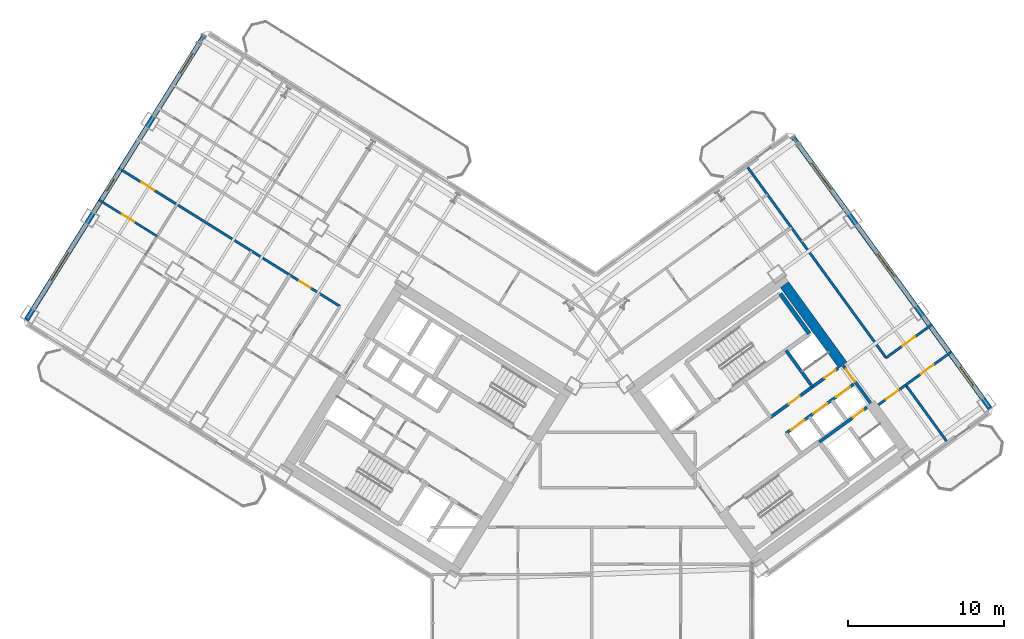
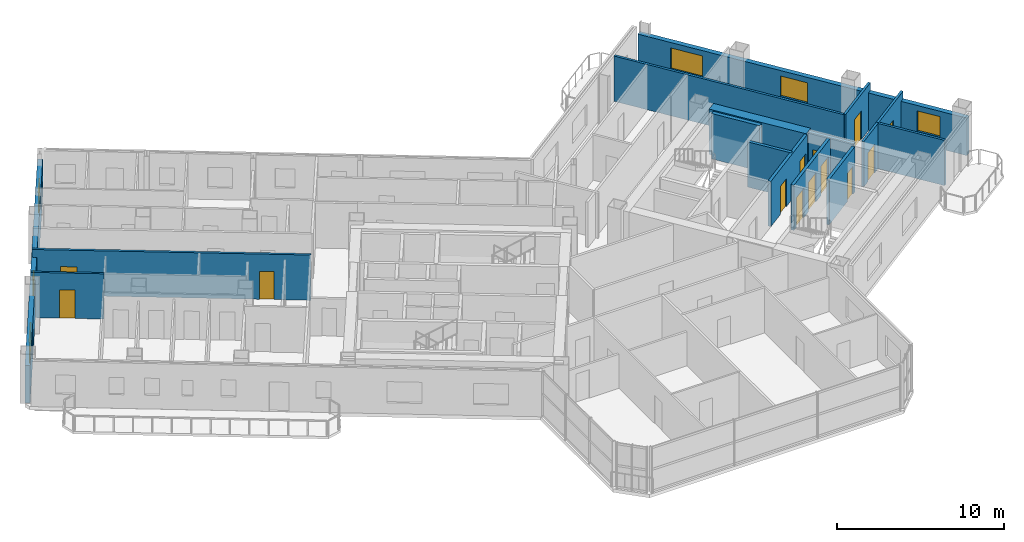
# One storey, part 15 of 22: 16 walls, 13 doors, 6 windows, 19 openings.
"""IFC4 building model written with IfcOpenShell, lengths in metres."""

from ifc_helpers import new_model, si_unit, direction, frame, frame_2d, origin, place, context, subcontext, project, spatial, rectangle, extrude, source, transform, mapped, material, layer, layer_set, type_object, element, fill, save


model = new_model("IFC4")

# Units and contexts
model_context = context("Model", 3, precision=1e-05, world=origin(), true_north=direction((0.0, 1.0)))
body_context = subcontext(model_context, "Body", "Model", "MODEL_VIEW")
ifc_project = project(units=[si_unit("LENGTHUNIT", "METRE"), si_unit("AREAUNIT", "SQUARE_METRE"), si_unit("VOLUMEUNIT", "CUBIC_METRE"), si_unit("PLANEANGLEUNIT", "RADIAN"), si_unit("MASSUNIT", "GRAM", prefix="KILO")], contexts=[model_context])

# Site, building, storey
site_placement = place(None, origin())
site = spatial("IfcSite", under=ifc_project, at=site_placement, CompositionType="ELEMENT")
building_placement = place(site_placement, origin())
building = spatial("IfcBuilding", under=site, at=building_placement, Name="Tlacorven Tower", CompositionType="ELEMENT")
storey_placement = place(building_placement, frame((0.0, 0.0, 97.199951171875)))
storey = spatial("IfcBuildingStorey", under=building, at=storey_placement, Name="L24", CompositionType="ELEMENT", Elevation=97.199951171875)

# Wall
ifc_material_1 = material(Name="Concrete C60/75", Category="concrete")
ifc_layer_1 = layer(ifc_material_1, 0.64990234375)
ifc_layer_set_1 = layer_set([ifc_layer_1], Name="Concrete C60/75")
wall_type_1 = type_object("IfcWallType", Name="WL-COR-650", PredefinedType="SHEAR", material=ifc_layer_set_1)
wall_1_placement = place(storey_placement, frame((58.06396484375, 25.8134765625, 0.0), z_axis=(0.0, 0.0, 1.0), x_axis=(-0.58777996584, 0.809020835181, 0.0)))
element("IfcWall", 1, at=wall_1_placement, inside=storey, type_object=wall_type_1, Name="L24 E core end wall E2.2", PredefinedType="SHEAR", context=body_context, shape_type="SweptSolid", body=[
    extrude(rectangle(XDim=6.375, YDim=0.64990234375, at=frame_2d((3.1875, 0.0))), origin(), (0.0, 0.0, 1.0), 3.320068359375),
])

# Wall, openings, doors
ifc_material_2 = material(Name="Gypsum plasterboard acoustic partition", Category="gypsum")
ifc_layer_2 = layer(ifc_material_2, 0.159912109375)
ifc_layer_set_2 = layer_set([ifc_layer_2], Name="Gypsum plasterboard acoustic partition")
wall_type_2 = type_object("IfcWallType", Name="WL-DEM-160", PredefinedType="PARTITIONING", material=ifc_layer_set_2)
wall_2_placement = place(storey_placement, frame((25.806884765625, 29.58154296875, 0.0), z_axis=(0.0, 0.0, 1.0), x_axis=(-0.848052408131, 0.529912363569, 0.0)))
wall_2 = element("IfcWall", 2, at=wall_2_placement, inside=storey, type_object=wall_type_2, Name="L24 Wing W Corridor North Wall", PredefinedType="PARTITIONING", context=body_context, shape_type="SweptSolid", body=[
    extrude(rectangle(XDim=16.72998046875, YDim=0.159912109375, at=frame_2d((8.364990234375, 0.0))), origin(), (0.0, 0.0, 1.0), 3.31005859375),
])
opening_1_placement = place(wall_2_placement, frame((2.219970703125, 0.0, 0.0)))
opening_1 = element("IfcOpeningElement", 3, at=opening_1_placement, cuts=wall_2, Name="Opening D19", PredefinedType="OPENING", context=body_context, shape_type="SweptSolid", body=[
    extrude(rectangle(XDim=0.860107421875, YDim=2.050048828125, at=frame_2d((0.43017578125, 1.02490234375))), frame((0.0, 0.08984375, 0.0), z_axis=(0.0, -1.0, 0.0), x_axis=(1.0, 0.0, 0.0)), (0.0, 0.0, 1.0), 0.179931640625),
])
opening_2_placement = place(wall_2_placement, frame((14.013427734375, 0.0, 0.0)))
opening_2 = element("IfcOpeningElement", 4, at=opening_2_placement, cuts=wall_2, Name="Opening D11", PredefinedType="OPENING", context=body_context, shape_type="SweptSolid", body=[
    extrude(rectangle(XDim=1.0, YDim=2.10009765625, at=frame_2d((0.5, 1.050048828125))), frame((0.0, 0.08984375, 0.0), z_axis=(0.0, -1.0, 0.0), x_axis=(1.0, 0.0, 0.0)), (0.0, 0.0, 1.0), 0.179931640625),
])
ifc_material_3 = material(Name="Fire-rated steel door assembly", Category="steel")
door_type_1 = type_object("IfcDoorType", Name="DR-RSR-FD60-0860", OperationType="NOTDEFINED", PredefinedType="DOOR", material=ifc_material_3)
shared_shape_1 = source(origin(), body_context, "Body", "SweptSolid", [
    extrude(rectangle(XDim=0.860107421875, YDim=2.050048828125, at=frame_2d((0.43017578125, 1.02490234375))), frame((0.0, 0.02490234375, 0.0), z_axis=(0.0, -1.0, 0.0), x_axis=(1.0, 0.0, 0.0)), (0.0, 0.0, 1.0), 0.050048828125),
])
door_1_placement = place(opening_1_placement, origin())
door_1 = element("IfcDoor", 5, at=door_1_placement, inside=storey, type_object=door_type_1, Name="L24 door 023", OperationType="SINGLE_SWING_LEFT", OverallHeight=2.050048828125, OverallWidth=0.860107421875, PredefinedType="DOOR", context=body_context, shape_type="MappedRepresentation", body=[
    mapped(shared_shape_1, transform((0.0, 0.0, 0.0), scale=1.0)),
])
fill(opening_1, door_1)
door_type_2 = type_object("IfcDoorType", Name="DR-FLT-FD60-1000", OperationType="NOTDEFINED", PredefinedType="DOOR", material=ifc_material_3)
shared_shape_2 = source(origin(), body_context, "Body", "SweptSolid", [
    extrude(rectangle(XDim=1.0, YDim=2.10009765625, at=frame_2d((0.5, 1.050048828125))), frame((0.0, 0.02490234375, 0.0), z_axis=(0.0, -1.0, 0.0), x_axis=(1.0, 0.0, 0.0)), (0.0, 0.0, 1.0), 0.050048828125),
])
door_2_placement = place(opening_2_placement, origin())
door_2 = element("IfcDoor", 6, at=door_2_placement, inside=storey, type_object=door_type_2, Name="L24 door 027", OperationType="SINGLE_SWING_LEFT", OverallHeight=2.10009765625, OverallWidth=1.0, PredefinedType="DOOR", context=body_context, shape_type="MappedRepresentation", body=[
    mapped(shared_shape_2, transform((0.0, 0.0, 0.0), scale=1.0)),
])
fill(opening_2, door_2)

# Wall, opening, door
wall_3_placement = place(storey_placement, frame((60.34716796875, 23.269775390625, 0.0), z_axis=(0.0, 0.0, 1.0), x_axis=(0.80899039758, 0.587821857898, 0.0)))
wall_3 = element("IfcWall", 7, at=wall_3_placement, inside=storey, type_object=wall_type_2, Name="L24 partition 100", PredefinedType="PARTITIONING", context=body_context, shape_type="SweptSolid", body=[
    extrude(rectangle(XDim=2.157958984375, YDim=0.159912109375, at=frame_2d((1.0791015625, 0.0))), origin(), (0.0, 0.0, 1.0), 3.31005859375),
])
opening_3_placement = place(wall_3_placement, frame((0.597900390625, 0.0, 0.0)))
opening_3 = element("IfcOpeningElement", 8, at=opening_3_placement, cuts=wall_3, Name="Opening D11", PredefinedType="OPENING", context=body_context, shape_type="SweptSolid", body=[
    extrude(rectangle(XDim=1.0, YDim=2.10009765625, at=frame_2d((0.5, 1.050048828125))), frame((0.0, 0.08984375, 0.0), z_axis=(0.0, -1.0, 0.0), x_axis=(1.0, 0.0, 0.0)), (0.0, 0.0, 1.0), 0.179931640625),
])
door_3_placement = place(opening_3_placement, frame((1.0, 0.0, 0.0), z_axis=(0.0, 0.0, 1.0), x_axis=(-1.0, 0.0, 0.0)))
door_3 = element("IfcDoor", 9, at=door_3_placement, inside=storey, type_object=door_type_2, Name="L24 door 064", OperationType="SINGLE_SWING_RIGHT", OverallHeight=2.10009765625, OverallWidth=1.0, PredefinedType="DOOR", context=body_context, shape_type="MappedRepresentation", body=[
    mapped(shared_shape_2, transform((0.0, 0.0, 0.0), scale=1.0)),
])
fill(opening_3, door_3)

# Walls
wall_4_placement = place(storey_placement, frame((64.708740234375, 20.93798828125, 0.0), z_axis=(0.0, 0.0, 1.0), x_axis=(-0.587773666605, 0.809025411743, 0.0)))
element("IfcWall", 10, at=wall_4_placement, inside=storey, type_object=wall_type_2, Name="L24 partition 102", PredefinedType="PARTITIONING", context=body_context, shape_type="SweptSolid", body=[
    extrude(rectangle(XDim=4.4501953125, YDim=0.159912109375, at=frame_2d((2.22509765625, 0.0))), origin(), (0.0, 0.0, 1.0), 3.31005859375),
])
wall_5_placement = place(storey_placement, frame((60.829345703125, 26.277587890625, 0.0), z_axis=(0.0, 0.0, 1.0), x_axis=(-0.587777474174, 0.809022645451, 0.0)))
element("IfcWall", 11, at=wall_5_placement, inside=storey, type_object=wall_type_2, Name="L24 partition 103", PredefinedType="PARTITIONING", context=body_context, shape_type="SweptSolid", body=[
    extrude(rectangle(XDim=15.10009765625, YDim=0.159912109375, at=frame_2d((7.550048828125, 0.0))), origin(), (0.0, 0.0, 1.0), 3.31005859375),
])

# Wall, opening, door
wall_6_placement = place(storey_placement, frame((62.093017578125, 24.538330078125, 0.0), z_axis=(0.0, 0.0, 1.0), x_axis=(0.809035546126, 0.58775971715, 0.0)))
wall_6 = element("IfcWall", 12, at=wall_6_placement, inside=storey, type_object=wall_type_2, Name="L24 partition 105", PredefinedType="PARTITIONING", context=body_context, shape_type="SweptSolid", body=[
    extrude(rectangle(XDim=3.6298828125, YDim=0.159912109375, at=frame_2d((1.81494140625, 0.0))), origin(), (0.0, 0.0, 1.0), 3.31005859375),
])
opening_4_placement = place(wall_6_placement, frame((1.199951171875, 0.0, 0.0)))
opening_4 = element("IfcOpeningElement", 13, at=opening_4_placement, cuts=wall_6, Name="Opening D11", PredefinedType="OPENING", context=body_context, shape_type="SweptSolid", body=[
    extrude(rectangle(XDim=1.0, YDim=2.10009765625, at=frame_2d((0.5, 1.050048828125))), frame((0.0, 0.08984375, 0.0), z_axis=(0.0, -1.0, 0.0), x_axis=(1.0, 0.0, 0.0)), (0.0, 0.0, 1.0), 0.179931640625),
])
door_4_placement = place(opening_4_placement, frame((1.0, 0.0, 0.0), z_axis=(0.0, 0.0, 1.0), x_axis=(-1.0, 0.0, 0.0)))
door_4 = element("IfcDoor", 14, at=door_4_placement, inside=storey, type_object=door_type_2, Name="L24 door 068", OperationType="SINGLE_SWING_RIGHT", OverallHeight=2.10009765625, OverallWidth=1.0, PredefinedType="DOOR", context=body_context, shape_type="MappedRepresentation", body=[
    mapped(shared_shape_2, transform((0.0, 0.0, 0.0), scale=1.0)),
])
fill(opening_4, door_4)

wall_7_placement = place(storey_placement, frame((60.829345703125, 26.277587890625, 0.0), z_axis=(0.0, 0.0, 1.0), x_axis=(0.809003564202, 0.587803736896, 0.0)))
wall_7 = element("IfcWall", 15, at=wall_7_placement, inside=storey, type_object=wall_type_2, Name="L24 partition 106", PredefinedType="PARTITIONING", context=body_context, shape_type="SweptSolid", body=[
    extrude(rectangle(XDim=3.630126953125, YDim=0.159912109375, at=frame_2d((1.81494140625, 0.0))), origin(), (0.0, 0.0, 1.0), 3.31005859375),
])
opening_5_placement = place(wall_7_placement, frame((1.304931640625, 0.0, 0.0)))
opening_5 = element("IfcOpeningElement", 16, at=opening_5_placement, cuts=wall_7, Name="Opening D11", PredefinedType="OPENING", context=body_context, shape_type="SweptSolid", body=[
    extrude(rectangle(XDim=1.0, YDim=2.10009765625, at=frame_2d((0.5, 1.050048828125))), frame((0.0, 0.08984375, 0.0), z_axis=(0.0, -1.0, 0.0), x_axis=(1.0, 0.0, 0.0)), (0.0, 0.0, 1.0), 0.179931640625),
])
door_5_placement = place(opening_5_placement, origin())
door_5 = element("IfcDoor", 17, at=door_5_placement, inside=storey, type_object=door_type_2, Name="L24 door 066", OperationType="SINGLE_SWING_LEFT", OverallHeight=2.10009765625, OverallWidth=1.0, PredefinedType="DOOR", context=body_context, shape_type="MappedRepresentation", body=[
    mapped(shared_shape_2, transform((0.0, 0.0, 0.0), scale=1.0)),
])
fill(opening_5, door_5)

# Wall, openings, windows
ifc_material_4 = material(Name="Precast concrete C45/55", Category="concrete")
ifc_layer_3 = layer(ifc_material_4, 0.320068359375)
ifc_layer_set_3 = layer_set([ifc_layer_3], Name="Precast concrete C45/55")
wall_type_3 = type_object("IfcWallType", Name="WL-EXT-320", PredefinedType="STANDARD", material=ifc_layer_set_3)
wall_8_placement = place(storey_placement, frame((5.699951171875, 28.71044921875, 0.0), z_axis=(0.0, 0.0, 1.0), x_axis=(0.529923711467, 0.8480453172, 0.0)))
wall_8 = element("IfcWall", 18, at=wall_8_placement, inside=storey, type_object=wall_type_3, Name="L24 Masonry-Frame Recessed Facade Wall 2", PredefinedType="STANDARD", context=body_context, shape_type="SweptSolid", body=[
    extrude(rectangle(XDim=21.58740234375, YDim=0.320068359375, at=frame_2d((10.793701171875, 0.0))), origin(), (0.0, 0.0, 1.0), 2.7451171875),
])
opening_6_placement = place(wall_8_placement, frame((2.99365234375, 0.0, 0.800048828125)))
opening_6 = element("IfcOpeningElement", 19, at=opening_6_placement, cuts=wall_8, Name="Opening WN04", PredefinedType="OPENING", context=body_context, shape_type="SweptSolid", body=[
    extrude(rectangle(XDim=2.10009765625, YDim=1.550048828125, at=frame_2d((1.050048828125, 0.77490234375))), frame((0.0, 0.169921875, 0.0), z_axis=(0.0, -1.0, 0.0), x_axis=(1.0, 0.0, 0.0)), (0.0, 0.0, 1.0), 0.340087890625),
])
opening_7_placement = place(wall_8_placement, frame((9.73876953125, 0.0, 1.0)))
opening_7 = element("IfcOpeningElement", 20, at=opening_7_placement, cuts=wall_8, Name="Opening WN05", PredefinedType="OPENING", context=body_context, shape_type="SweptSolid", body=[
    extrude(rectangle(XDim=0.89990234375, YDim=1.25, at=frame_2d((0.449951171875, 0.625))), frame((0.0, 0.169921875, 0.0), z_axis=(0.0, -1.0, 0.0), x_axis=(1.0, 0.0, 0.0)), (0.0, 0.0, 1.0), 0.340087890625),
])
opening_8_placement = place(wall_8_placement, frame((18.638671875, 0.0, 0.85009765625)))
opening_8 = element("IfcOpeningElement", 21, at=opening_8_placement, cuts=wall_8, Name="Opening WN02", PredefinedType="OPENING", context=body_context, shape_type="SweptSolid", body=[
    extrude(rectangle(XDim=1.5, YDim=1.5, at=frame_2d((0.75, 0.75))), frame((0.0, 0.169921875, 0.0), z_axis=(0.0, -1.0, 0.0), x_axis=(1.0, 0.0, 0.0)), (0.0, 0.0, 1.0), 0.340087890625),
])
ifc_material_5 = material(Name="Dark solar low-E double glazing in anodised aluminium frame", Category="aluminium")
window_type_1 = type_object("IfcWindowType", Name="WN-APT-2100X1750", PartitioningType="SINGLE_PANEL", PredefinedType="WINDOW", material=ifc_material_5)
shared_shape_3 = source(origin(), body_context, "Body", "SweptSolid", [
    extrude(rectangle(XDim=2.10009765625, YDim=1.550048828125, at=frame_2d((1.050048828125, 0.77490234375))), frame((0.0, 0.030029296875, 0.0), z_axis=(0.0, -1.0, 0.0), x_axis=(1.0, 0.0, 0.0)), (0.0, 0.0, 1.0), 0.06005859375),
])
window_1_placement = place(opening_6_placement, origin())
window_1 = element("IfcWindow", 22, at=window_1_placement, inside=storey, type_object=window_type_1, Name="L24 Recessed Masonry-Frame Window L24-02.1", OverallHeight=1.550048828125, OverallWidth=2.10009765625, PartitioningType="SINGLE_PANEL", PredefinedType="WINDOW", context=body_context, shape_type="MappedRepresentation", body=[
    mapped(shared_shape_3, transform((0.0, 0.0, 0.0), scale=1.0)),
])
fill(opening_6, window_1)
window_type_2 = type_object("IfcWindowType", Name="WN-APT-1500X1650", PartitioningType="SINGLE_PANEL", PredefinedType="WINDOW", material=ifc_material_5)
shared_shape_4 = source(origin(), body_context, "Body", "SweptSolid", [
    extrude(rectangle(XDim=1.5, YDim=1.5, at=frame_2d((0.75, 0.75))), frame((0.0, 0.030029296875, 0.0), z_axis=(0.0, -1.0, 0.0), x_axis=(1.0, 0.0, 0.0)), (0.0, 0.0, 1.0), 0.06005859375),
])
window_2_placement = place(opening_8_placement, origin())
window_2 = element("IfcWindow", 23, at=window_2_placement, inside=storey, type_object=window_type_2, Name="L24 Recessed Masonry-Frame Window L24-02.3", OverallHeight=1.5, OverallWidth=1.5, PartitioningType="SINGLE_PANEL", PredefinedType="WINDOW", context=body_context, shape_type="MappedRepresentation", body=[
    mapped(shared_shape_4, transform((0.0, 0.0, 0.0), scale=1.0)),
])
fill(opening_8, window_2)
window_type_3 = type_object("IfcWindowType", Name="WN-APT-0900X1350", PartitioningType="SINGLE_PANEL", PredefinedType="WINDOW", material=ifc_material_5)
shared_shape_5 = source(origin(), body_context, "Body", "SweptSolid", [
    extrude(rectangle(XDim=0.89990234375, YDim=1.25, at=frame_2d((0.449951171875, 0.625))), frame((0.0, 0.030029296875, 0.0), z_axis=(0.0, -1.0, 0.0), x_axis=(1.0, 0.0, 0.0)), (0.0, 0.0, 1.0), 0.06005859375),
])
window_3_placement = place(opening_7_placement, origin())
window_3 = element("IfcWindow", 24, at=window_3_placement, inside=storey, type_object=window_type_3, Name="L24 Recessed Masonry-Frame Window L24-02.2", OverallHeight=1.25, OverallWidth=0.89990234375, PartitioningType="SINGLE_PANEL", PredefinedType="WINDOW", context=body_context, shape_type="MappedRepresentation", body=[
    mapped(shared_shape_5, transform((0.0, 0.0, 0.0), scale=1.0)),
])
fill(opening_7, window_3)

wall_9_placement = place(storey_placement, frame((54.810302734375, 40.49951171875, 0.0), z_axis=(0.0, 0.0, 1.0), x_axis=(0.587783625747, -0.809018176127, 0.0)))
wall_9 = element("IfcWall", 25, at=wall_9_placement, inside=storey, type_object=wall_type_3, Name="L24 Masonry-Frame Recessed Facade Wall 5", PredefinedType="STANDARD", context=body_context, shape_type="SweptSolid", body=[
    extrude(rectangle(XDim=21.58740234375, YDim=0.320068359375, at=frame_2d((10.793701171875, 0.0))), origin(), (0.0, 0.0, 1.0), 2.7451171875),
])
opening_9_placement = place(wall_9_placement, frame((2.142578125, 0.0, 0.800048828125)))
opening_9 = element("IfcOpeningElement", 26, at=opening_9_placement, cuts=wall_9, Name="Opening WN04", PredefinedType="OPENING", context=body_context, shape_type="SweptSolid", body=[
    extrude(rectangle(XDim=2.10009765625, YDim=1.550048828125, at=frame_2d((1.050048828125, 0.77490234375))), frame((0.0, 0.169921875, 0.0), z_axis=(0.0, -1.0, 0.0), x_axis=(1.0, 0.0, 0.0)), (0.0, 0.0, 1.0), 0.340087890625),
])
opening_10_placement = place(wall_9_placement, frame((9.34375, 0.0, 0.85009765625)))
opening_10 = element("IfcOpeningElement", 27, at=opening_10_placement, cuts=wall_9, Name="Opening WN01", PredefinedType="OPENING", context=body_context, shape_type="SweptSolid", body=[
    extrude(rectangle(XDim=1.800048828125, YDim=1.5, at=frame_2d((0.89990234375, 0.75))), frame((0.0, 0.169921875, 0.0), z_axis=(0.0, -1.0, 0.0), x_axis=(1.0, 0.0, 0.0)), (0.0, 0.0, 1.0), 0.340087890625),
])
opening_11_placement = place(wall_9_placement, frame((18.30859375, 0.0, 0.85009765625)))
opening_11 = element("IfcOpeningElement", 28, at=opening_11_placement, cuts=wall_9, Name="Opening WN02", PredefinedType="OPENING", context=body_context, shape_type="SweptSolid", body=[
    extrude(rectangle(XDim=1.5, YDim=1.5, at=frame_2d((0.75, 0.75))), frame((0.0, 0.169921875, 0.0), z_axis=(0.0, -1.0, 0.0), x_axis=(1.0, 0.0, 0.0)), (0.0, 0.0, 1.0), 0.340087890625),
])
window_4_placement = place(opening_9_placement, origin())
window_4 = element("IfcWindow", 29, at=window_4_placement, inside=storey, type_object=window_type_1, Name="L24 Recessed Masonry-Frame Window L24-05.1", OverallHeight=1.550048828125, OverallWidth=2.10009765625, PartitioningType="SINGLE_PANEL", PredefinedType="WINDOW", context=body_context, shape_type="MappedRepresentation", body=[
    mapped(shared_shape_3, transform((0.0, 0.0, 0.0), scale=1.0)),
])
fill(opening_9, window_4)
window_type_4 = type_object("IfcWindowType", Name="WN-APT-1800X1650", PartitioningType="SINGLE_PANEL", PredefinedType="WINDOW", material=ifc_material_5)
shared_shape_6 = source(origin(), body_context, "Body", "SweptSolid", [
    extrude(rectangle(XDim=1.800048828125, YDim=1.5, at=frame_2d((0.89990234375, 0.75))), frame((0.0, 0.030029296875, 0.0), z_axis=(0.0, -1.0, 0.0), x_axis=(1.0, 0.0, 0.0)), (0.0, 0.0, 1.0), 0.06005859375),
])
window_5_placement = place(opening_10_placement, origin())
window_5 = element("IfcWindow", 30, at=window_5_placement, inside=storey, type_object=window_type_4, Name="L24 Recessed Masonry-Frame Window L24-05.2", OverallHeight=1.5, OverallWidth=1.800048828125, PartitioningType="SINGLE_PANEL", PredefinedType="WINDOW", context=body_context, shape_type="MappedRepresentation", body=[
    mapped(shared_shape_6, transform((0.0, 0.0, 0.0), scale=1.0)),
])
fill(opening_10, window_5)
window_6_placement = place(opening_11_placement, origin())
window_6 = element("IfcWindow", 31, at=window_6_placement, inside=storey, type_object=window_type_2, Name="L24 Recessed Masonry-Frame Window L24-05.3", OverallHeight=1.5, OverallWidth=1.5, PartitioningType="SINGLE_PANEL", PredefinedType="WINDOW", context=body_context, shape_type="MappedRepresentation", body=[
    mapped(shared_shape_4, transform((0.0, 0.0, 0.0), scale=1.0)),
])
fill(opening_11, window_6)

# Wall, opening, door
ifc_material_6 = material(Name="Moisture-resistant gypsum plumbing wall", Category="gypsum")
ifc_layer_4 = layer(ifc_material_6, 0.139892578125)
ifc_layer_set_4 = layer_set([ifc_layer_4], Name="Moisture-resistant gypsum plumbing wall")
wall_type_4 = type_object("IfcWallType", Name="WL-PLM-140", PredefinedType="PLUMBINGWALL", material=ifc_layer_set_4)
wall_10_placement = place(storey_placement, frame((14.089599609375, 34.0732421875, 0.0), z_axis=(0.0, 0.0, 1.0), x_axis=(-0.848045135007, 0.529924003034, 0.0)))
wall_10 = element("IfcWall", 32, at=wall_10_placement, inside=storey, type_object=wall_type_4, Name="L24 partition 61", PredefinedType="PLUMBINGWALL", context=body_context, shape_type="SweptSolid", body=[
    extrude(rectangle(XDim=4.392822265625, YDim=0.139892578125, at=frame_2d((2.1962890625, 0.0))), origin(), (0.0, 0.0, 1.0), 3.31005859375),
])
opening_12_placement = place(wall_10_placement, frame((1.736572265625, 0.0, 0.0)))
opening_12 = element("IfcOpeningElement", 33, at=opening_12_placement, cuts=wall_10, Name="Opening D12", PredefinedType="OPENING", context=body_context, shape_type="SweptSolid", body=[
    extrude(rectangle(XDim=0.919921875, YDim=2.080078125, at=frame_2d((0.4599609375, 1.0400390625))), frame((0.0, 0.080078125, 0.0), z_axis=(0.0, -1.0, 0.0), x_axis=(1.0, 0.0, 0.0)), (0.0, 0.0, 1.0), 0.159912109375),
])
ifc_material_7 = material(Name="Powder-coated aluminium and timber door", Category="wood")
door_type_3 = type_object("IfcDoorType", Name="DR-INT-ROOM-0920", OperationType="NOTDEFINED", PredefinedType="DOOR", material=ifc_material_7)
shared_shape_7 = source(origin(), body_context, "Body", "SweptSolid", [
    extrude(rectangle(XDim=0.919921875, YDim=2.080078125, at=frame_2d((0.4599609375, 1.0400390625))), frame((0.0, 0.02490234375, 0.0), z_axis=(0.0, -1.0, 0.0), x_axis=(1.0, 0.0, 0.0)), (0.0, 0.0, 1.0), 0.050048828125),
])
door_6_placement = place(opening_12_placement, origin())
door_6 = element("IfcDoor", 34, at=door_6_placement, inside=storey, type_object=door_type_3, Name="L24 door 028", OperationType="SINGLE_SWING_RIGHT", OverallHeight=2.080078125, OverallWidth=0.919921875, PredefinedType="DOOR", context=body_context, shape_type="MappedRepresentation", body=[
    mapped(shared_shape_7, transform((0.0, 0.0, 0.0), scale=1.0)),
])
fill(opening_12, door_6)

ifc_material_8 = material(Name="Concrete C40/50", Category="concrete")
ifc_layer_5 = layer(ifc_material_8, 0.199951171875)
ifc_layer_set_5 = layer_set([ifc_layer_5], Name="Concrete C40/50")
wall_type_5 = type_object("IfcWallType", Name="WL-SHF-200", PredefinedType="STANDARD", material=ifc_layer_set_5)
wall_11_placement = place(storey_placement, frame((56.552978515625, 20.884033203125, 0.0), z_axis=(0.0, 0.0, 1.0), x_axis=(0.809035789462, 0.587759382205, 0.0)))
wall_11 = element("IfcWall", 35, at=wall_11_placement, inside=storey, type_object=wall_type_5, Name="L24 Core E South Lift Shaft Wall", PredefinedType="STANDARD", context=body_context, shape_type="SweptSolid", body=[
    extrude(rectangle(XDim=3.767822265625, YDim=0.199951171875, at=frame_2d((1.8837890625, 0.0))), origin(), (0.0, 0.0, 1.0), 3.31005859375),
])
opening_13_placement = place(wall_11_placement, frame((2.64990234375, 0.0, 0.0)))
opening_13 = element("IfcOpeningElement", 36, at=opening_13_placement, cuts=wall_11, Name="Opening D19", PredefinedType="OPENING", context=body_context, shape_type="SweptSolid", body=[
    extrude(rectangle(XDim=0.860107421875, YDim=2.050048828125, at=frame_2d((0.43017578125, 1.02490234375))), frame((0.0, 0.10986328125, 0.0), z_axis=(0.0, -1.0, 0.0), x_axis=(1.0, 0.0, 0.0)), (0.0, 0.0, 1.0), 0.219970703125),
])
door_7_placement = place(opening_13_placement, origin())
door_7 = element("IfcDoor", 37, at=door_7_placement, inside=storey, type_object=door_type_1, Name="L24 Smoke Extract Riser Access Door", OperationType="SINGLE_SWING_LEFT", OverallHeight=2.050048828125, OverallWidth=0.860107421875, PredefinedType="DOOR", context=body_context, shape_type="MappedRepresentation", body=[
    mapped(shared_shape_1, transform((0.0, 0.0, 0.0), scale=1.0)),
])
fill(opening_13, door_7)

# Wall, openings, doors
wall_12_placement = place(storey_placement, frame((54.421142578125, 21.436279296875, 0.0), z_axis=(0.0, 0.0, 1.0), x_axis=(0.809013710463, 0.587789772183, 0.0)))
wall_12 = element("IfcWall", 38, at=wall_12_placement, inside=storey, type_object=wall_type_5, Name="L24 partition 36", PredefinedType="STANDARD", context=body_context, shape_type="SweptSolid", body=[
    extrude(rectangle(XDim=5.360107421875, YDim=0.199951171875, at=frame_2d((2.68017578125, 0.0))), origin(), (0.0, 0.0, 1.0), 3.31005859375),
])
opening_14_placement = place(wall_12_placement, frame((0.3701171875, 0.0, 0.0)))
opening_14 = element("IfcOpeningElement", 39, at=opening_14_placement, cuts=wall_12, Name="Opening LD01", PredefinedType="OPENING", context=body_context, shape_type="SweptSolid", body=[
    extrude(rectangle(XDim=1.10009765625, YDim=2.14990234375, at=frame_2d((0.550048828125, 1.074951171875))), frame((0.0, 0.10986328125, 0.0), z_axis=(0.0, -1.0, 0.0), x_axis=(1.0, 0.0, 0.0)), (0.0, 0.0, 1.0), 0.219970703125),
])
opening_15_placement = place(wall_12_placement, frame((2.169921875, 0.0, 0.0)))
opening_15 = element("IfcOpeningElement", 40, at=opening_15_placement, cuts=wall_12, Name="Opening LD01", PredefinedType="OPENING", context=body_context, shape_type="SweptSolid", body=[
    extrude(rectangle(XDim=1.10009765625, YDim=2.14990234375, at=frame_2d((0.550048828125, 1.074951171875))), frame((0.0, 0.10986328125, 0.0), z_axis=(0.0, -1.0, 0.0), x_axis=(1.0, 0.0, 0.0)), (0.0, 0.0, 1.0), 0.219970703125),
])
opening_16_placement = place(wall_12_placement, frame((3.969970703125, 0.0, 0.0)))
opening_16 = element("IfcOpeningElement", 41, at=opening_16_placement, cuts=wall_12, Name="Opening LD01", PredefinedType="OPENING", context=body_context, shape_type="SweptSolid", body=[
    extrude(rectangle(XDim=1.10009765625, YDim=2.14990234375, at=frame_2d((0.550048828125, 1.074951171875))), frame((0.0, 0.10986328125, 0.0), z_axis=(0.0, -1.0, 0.0), x_axis=(1.0, 0.0, 0.0)), (0.0, 0.0, 1.0), 0.219970703125),
])
door_type_4 = type_object("IfcDoorType", Name="DR-LFT-SLID-1100", OperationType="DOUBLE_DOOR_SLIDING", PredefinedType="DOOR", material=ifc_material_3)
shared_shape_8 = source(origin(), body_context, "Body", "SweptSolid", [
    extrude(rectangle(XDim=1.10009765625, YDim=2.14990234375, at=frame_2d((0.550048828125, 1.074951171875))), frame((0.0, 0.02490234375, 0.0), z_axis=(0.0, -1.0, 0.0), x_axis=(1.0, 0.0, 0.0)), (0.0, 0.0, 1.0), 0.050048828125),
])
door_8_placement = place(opening_14_placement, origin())
door_8 = element("IfcDoor", 42, at=door_8_placement, inside=storey, type_object=door_type_4, Name="L24 Lift PL-L1 Sliding Landing Door", OperationType="DOUBLE_DOOR_SLIDING", OverallHeight=2.14990234375, OverallWidth=1.10009765625, PredefinedType="DOOR", context=body_context, shape_type="MappedRepresentation", body=[
    mapped(shared_shape_8, transform((0.0, 0.0, 0.0), scale=1.0)),
])
fill(opening_14, door_8)
door_9_placement = place(opening_15_placement, origin())
door_9 = element("IfcDoor", 43, at=door_9_placement, inside=storey, type_object=door_type_4, Name="L24 Lift PL-L2 Sliding Landing Door", OperationType="DOUBLE_DOOR_SLIDING", OverallHeight=2.14990234375, OverallWidth=1.10009765625, PredefinedType="DOOR", context=body_context, shape_type="MappedRepresentation", body=[
    mapped(shared_shape_8, transform((0.0, 0.0, 0.0), scale=1.0)),
])
fill(opening_15, door_9)
door_10_placement = place(opening_16_placement, origin())
door_10 = element("IfcDoor", 44, at=door_10_placement, inside=storey, type_object=door_type_4, Name="L24 Lift PL-L3 Sliding Landing Door", OperationType="DOUBLE_DOOR_SLIDING", OverallHeight=2.14990234375, OverallWidth=1.10009765625, PredefinedType="DOOR", context=body_context, shape_type="MappedRepresentation", body=[
    mapped(shared_shape_8, transform((0.0, 0.0, 0.0), scale=1.0)),
])
fill(opening_16, door_10)

# Wall
wall_13_placement = place(storey_placement, frame((56.110595703125, 24.4189453125, 0.0), z_axis=(0.0, 0.0, 1.0), x_axis=(-0.58777848983, 0.809021907548, 0.0)))
element("IfcWall", 45, at=wall_13_placement, inside=storey, type_object=wall_type_5, Name="L24 partition 46", PredefinedType="STANDARD", context=body_context, shape_type="SweptSolid", body=[
    extrude(rectangle(XDim=2.880126953125, YDim=0.199951171875, at=frame_2d((1.43994140625, 0.0))), origin(), (0.0, 0.0, 1.0), 3.31005859375),
])

# Wall, openings, doors
wall_14_placement = place(storey_placement, frame((53.424560546875, 22.467529296875, 0.0), z_axis=(0.0, 0.0, 1.0), x_axis=(0.80902705128, 0.587771409902, 0.0)))
wall_14 = element("IfcWall", 46, at=wall_14_placement, inside=storey, type_object=wall_type_5, Name="L24 Core E North Service Wall", PredefinedType="STANDARD", context=body_context, shape_type="SweptSolid", body=[
    extrude(rectangle(XDim=5.3681640625, YDim=0.199951171875, at=frame_2d((2.68408203125, 0.0))), origin(), (0.0, 0.0, 1.0), 3.31005859375),
])
opening_17_placement = place(wall_14_placement, frame((4.280029296875, 0.0, 0.0)))
opening_17 = element("IfcOpeningElement", 47, at=opening_17_placement, cuts=wall_14, Name="Opening D19", PredefinedType="OPENING", context=body_context, shape_type="SweptSolid", body=[
    extrude(rectangle(XDim=0.860107421875, YDim=2.050048828125, at=frame_2d((0.43017578125, 1.02490234375))), frame((0.0, 0.10986328125, 0.0), z_axis=(0.0, -1.0, 0.0), x_axis=(1.0, 0.0, 0.0)), (0.0, 0.0, 1.0), 0.219970703125),
])
opening_18_placement = place(wall_14_placement, frame((1.449951171875, 0.0, 0.0)))
opening_18 = element("IfcOpeningElement", 48, at=opening_18_placement, cuts=wall_14, Name="Opening D19", PredefinedType="OPENING", context=body_context, shape_type="SweptSolid", body=[
    extrude(rectangle(XDim=0.860107421875, YDim=2.050048828125, at=frame_2d((0.43017578125, 1.02490234375))), frame((0.0, 0.10986328125, 0.0), z_axis=(0.0, -1.0, 0.0), x_axis=(1.0, 0.0, 0.0)), (0.0, 0.0, 1.0), 0.219970703125),
])
door_11_placement = place(opening_17_placement, frame((0.860107421875, 0.0, 0.0), z_axis=(0.0, 0.0, 1.0), x_axis=(-1.0, 0.0, 0.0)))
door_11 = element("IfcDoor", 49, at=door_11_placement, inside=storey, type_object=door_type_1, Name="L24 Electrical Riser Access Door E", OperationType="SINGLE_SWING_RIGHT", OverallHeight=2.050048828125, OverallWidth=0.860107421875, PredefinedType="DOOR", context=body_context, shape_type="MappedRepresentation", body=[
    mapped(shared_shape_1, transform((0.0, 0.0, 0.0), scale=1.0)),
])
fill(opening_17, door_11)
door_12_placement = place(opening_18_placement, frame((0.860107421875, 0.0, 0.0), z_axis=(0.0, 0.0, 1.0), x_axis=(-1.0, 0.0, 0.0)))
door_12 = element("IfcDoor", 50, at=door_12_placement, inside=storey, type_object=door_type_1, Name="L24 Housekeeping Linen Access Door E", OperationType="SINGLE_SWING_LEFT", OverallHeight=2.050048828125, OverallWidth=0.860107421875, PredefinedType="DOOR", context=body_context, shape_type="MappedRepresentation", body=[
    mapped(shared_shape_1, transform((0.0, 0.0, 0.0), scale=1.0)),
])
fill(opening_18, door_12)

# Wall, opening, door
wall_15_placement = place(storey_placement, frame((59.827392578125, 23.386474609375, 0.0), z_axis=(0.0, 0.0, 1.0), x_axis=(-0.587803840107, 0.809003489211, 0.0)))
wall_15 = element("IfcWall", 51, at=wall_15_placement, inside=storey, type_object=wall_type_5, Name="L24 partition 99", PredefinedType="STANDARD", context=body_context, shape_type="SweptSolid", body=[
    extrude(rectangle(XDim=2.960205078125, YDim=0.199951171875, at=frame_2d((1.47998046875, 0.0))), origin(), (0.0, 0.0, 1.0), 3.31005859375),
])
opening_19_placement = place(wall_15_placement, frame((1.679931640625, 0.0, 0.0)))
opening_19 = element("IfcOpeningElement", 52, at=opening_19_placement, cuts=wall_15, Name="Opening D11", PredefinedType="OPENING", context=body_context, shape_type="SweptSolid", body=[
    extrude(rectangle(XDim=1.0, YDim=2.10009765625, at=frame_2d((0.5, 1.050048828125))), frame((0.0, 0.10986328125, 0.0), z_axis=(0.0, -1.0, 0.0), x_axis=(1.0, 0.0, 0.0)), (0.0, 0.0, 1.0), 0.219970703125),
])
door_13_placement = place(opening_19_placement, origin())
door_13 = element("IfcDoor", 53, at=door_13_placement, inside=storey, type_object=door_type_2, Name="L24 door 065", OperationType="SINGLE_SWING_LEFT", OverallHeight=2.10009765625, OverallWidth=1.0, PredefinedType="DOOR", context=body_context, shape_type="MappedRepresentation", body=[
    mapped(shared_shape_2, transform((0.0, 0.0, 0.0), scale=1.0)),
])
fill(opening_19, door_13)

# Wall
ifc_material_9 = material(Name="Concrete C50/60", Category="concrete")
ifc_layer_6 = layer(ifc_material_9, 0.260009765625)
ifc_layer_set_6 = layer_set([ifc_layer_6], Name="Concrete C50/60")
wall_type_6 = type_object("IfcWallType", Name="WL-STW-260", PredefinedType="SHEAR", material=ifc_layer_set_6)
wall_16_placement = place(storey_placement, frame((55.906494140625, 27.83056640625, 0.0), z_axis=(0.0, 0.0, 1.0), x_axis=(-0.587804123638, 0.809003283204, 0.0)))
element("IfcWall", 54, at=wall_16_placement, inside=storey, type_object=wall_type_6, Name="L24 Stair E1 East Shear Wall", PredefinedType="SHEAR", context=body_context, shape_type="SweptSolid", body=[
    extrude(rectangle(XDim=3.159912109375, YDim=0.260009765625, at=frame_2d((1.580078125, 0.0))), origin(), (0.0, 0.0, 1.0), 3.320068359375),
])

save(model, "model.ifc")
